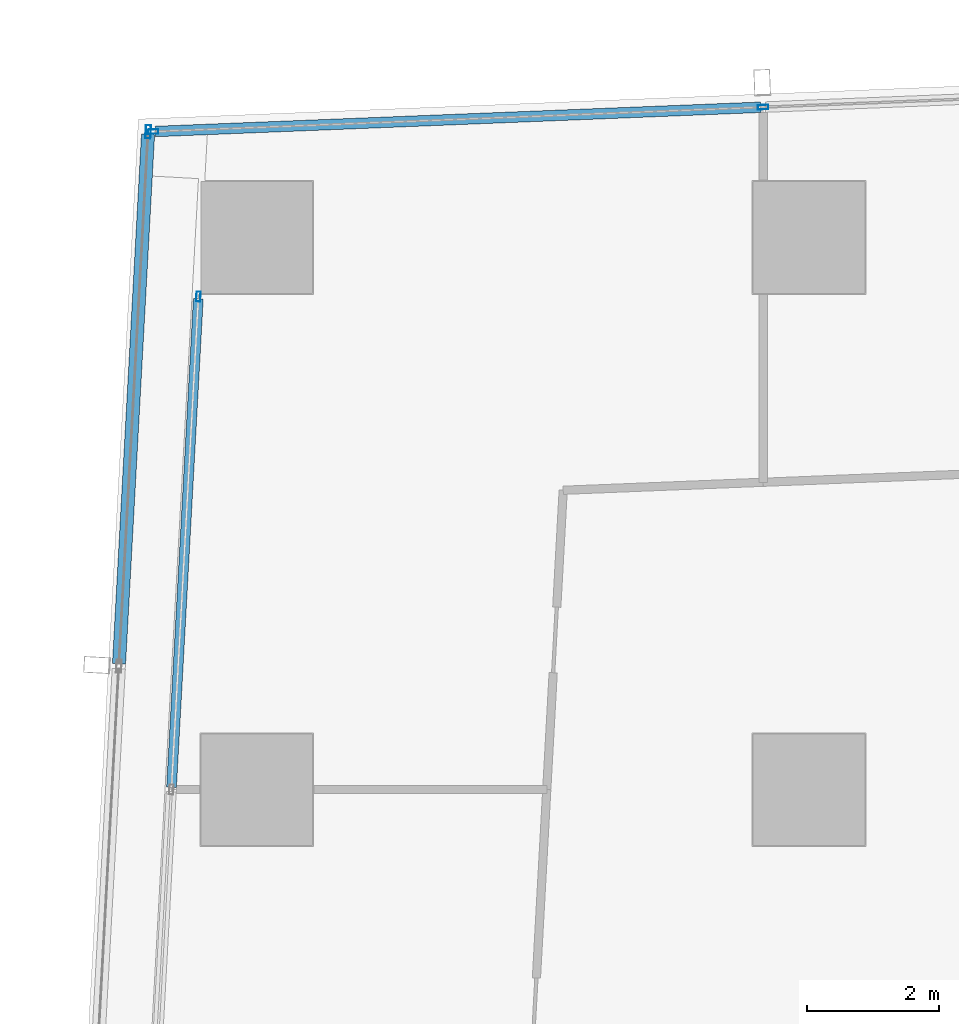
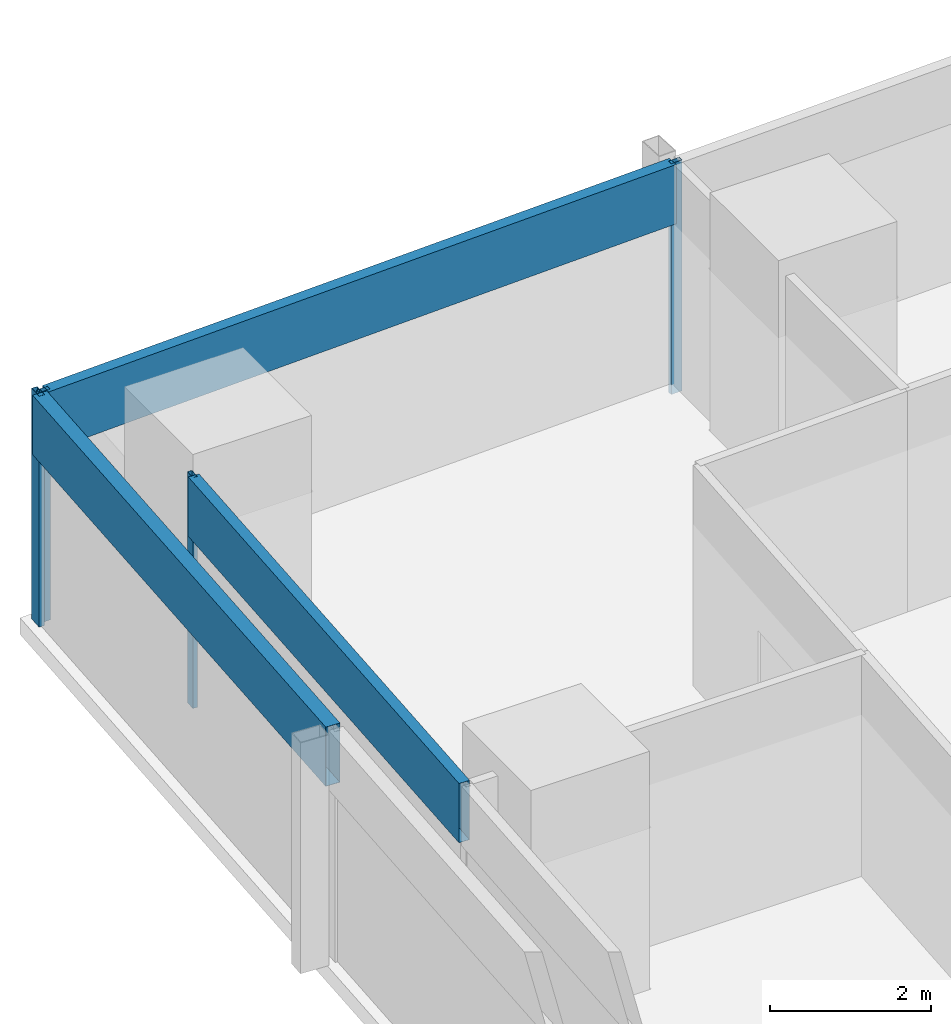
# One storey, part 15 of 40: 7 members, 3 elements without a shape of their own.
"""IFC4 building model written with IfcOpenShell, lengths in metres."""

from ifc_helpers import new_model, si_unit, direction, frame, origin, origin_2d, place, context, subcontext, project, spatial, hollow_rectangle, extrude, material, material_profile, profile_set, type_object, element, aggregate, save


model = new_model("IFC4")

# Units and contexts
model_context = context("Model", 3, precision=1e-05, world=origin(), true_north=direction((0.0, 1.0)))
body_context = subcontext(model_context, "Body", "Model", "MODEL_VIEW")
ifc_project = project(units=[si_unit("LENGTHUNIT", "METRE"), si_unit("AREAUNIT", "SQUARE_METRE"), si_unit("VOLUMEUNIT", "CUBIC_METRE"), si_unit("PLANEANGLEUNIT", "RADIAN"), si_unit("MASSUNIT", "GRAM", prefix="KILO")], contexts=[model_context])

# Site, building, storey
site_placement = place(None, origin())
site = spatial("IfcSite", under=ifc_project, at=site_placement, CompositionType="ELEMENT")
building_placement = place(site_placement, origin())
building = spatial("IfcBuilding", under=site, at=building_placement, Name="Rekha Terrace Tower", CompositionType="ELEMENT")
storey_placement = place(building_placement, frame((0.0, 0.0, 140.300048828125)))
storey = spatial("IfcBuildingStorey", under=building, at=storey_placement, Name="L35", CompositionType="ELEMENT", Elevation=140.300048828125)

# Curtain wall, members
ifc_material_1 = material(Name="Aluminium framing", Category="aluminium")
curtain_wall_type_1 = type_object("IfcCurtainWallType", Name="CW1 double skin inner glazing", PredefinedType="USERDEFINED", material=ifc_material_1)
curtain_wall_1_placement = place(storey_placement, origin())
curtain_wall_1 = element("IfcCurtainWall", 1, at=curtain_wall_1_placement, inside=storey, type_object=curtain_wall_type_1, Name="CW1 double skin inner glazing", ObjectType="DOUBLE SKIN INNER GLAZING", PredefinedType="USERDEFINED")
ifc_material_2 = material(Name="Aluminium mullion section", Category="aluminium")
ifc_material_profile_1 = material_profile(ifc_material_2, hollow_rectangle(XDim=0.06494140625, YDim=0.14990234375, WallThickness=0.00390625, at=origin_2d()), Name="AL RHS 65x150")
ifc_profile_set_1 = profile_set([ifc_material_profile_1], Name="Aluminium mullion section")
member_type_1 = type_object("IfcMemberType", Name="CW1 mullion RHS 65 x 150", PredefinedType="MULLION", material=ifc_profile_set_1)
member_1_placement = place(storey_placement, frame((7.513427734375, 57.8994140625, 0.0), z_axis=(0.0, 0.0, 1.0), x_axis=(0.99850051318, -0.054742352707, 0.0)))
member_1 = element("IfcMember", 2, at=member_1_placement, type_object=member_type_1, Name="CW1 mullion 1", PredefinedType="MULLION", context=body_context, shape_type="SweptSolid", body=[
    extrude(hollow_rectangle(XDim=0.06494140625, YDim=0.14990234375, WallThickness=0.00390625, at=origin_2d()), origin(), (0.0, 0.0, 1.0), 3.5),
])
ifc_material_3 = material(Name="Insulated aluminium spandrel box", Category="aluminium")
ifc_material_profile_2 = material_profile(ifc_material_3, hollow_rectangle(XDim=0.14990234375, YDim=0.89990234375, WallThickness=0.0029296875, at=origin_2d()), Name="AL SPANDREL BOX 150x900")
ifc_profile_set_2 = profile_set([ifc_material_profile_2], Name="Insulated aluminium spandrel box")
member_type_2 = type_object("IfcMemberType", Name="CW1 spandrel transom 150 x 900", PredefinedType="USERDEFINED", material=ifc_profile_set_2)
member_2_placement = place(storey_placement, frame((7.51171875, 57.866943359375, 3.050048828125), z_axis=(-0.054743356699, -0.998500458136, 0.0), x_axis=(0.998500458136, -0.054743356699, 0.0)))
member_2 = element("IfcMember", 3, at=member_2_placement, type_object=member_type_2, Name="CW1 spandrel transom 1", ObjectType="TRANSOM", PredefinedType="USERDEFINED", context=body_context, shape_type="SweptSolid", body=[
    extrude(hollow_rectangle(XDim=0.14990234375, YDim=0.89990234375, WallThickness=0.0029296875, at=origin_2d()), origin(), (0.0, 0.0, 1.0), 7.443359375),
])
aggregate(curtain_wall_1, [member_1, member_2])

curtain_wall_type_2 = type_object("IfcCurtainWallType", Name="CW2 double skin outer glazing", PredefinedType="USERDEFINED", material=ifc_material_1)
curtain_wall_2_placement = place(storey_placement, origin())
curtain_wall_2 = element("IfcCurtainWall", 4, at=curtain_wall_2_placement, inside=storey, type_object=curtain_wall_type_2, Name="CW2 double skin outer glazing", ObjectType="DOUBLE SKIN OUTER GLAZING", PredefinedType="USERDEFINED")
ifc_material_profile_3 = material_profile(ifc_material_2, hollow_rectangle(XDim=0.080078125, YDim=0.199951171875, WallThickness=0.00390625, at=origin_2d()), Name="AL RHS 80x200")
ifc_profile_set_3 = profile_set([ifc_material_profile_3], Name="Aluminium mullion section")
member_type_3 = type_object("IfcMemberType", Name="CW2 mullion RHS 80 x 200", PredefinedType="MULLION", material=ifc_profile_set_3)
member_3_placement = place(storey_placement, frame((6.74951171875, 60.406005859375, 0.0), z_axis=(0.0, 0.0, 1.0), x_axis=(0.99850051318, -0.054742352707, 0.0)))
member_3 = element("IfcMember", 5, at=member_3_placement, type_object=member_type_3, Name="CW2 mullion 1", PredefinedType="MULLION", context=body_context, shape_type="SweptSolid", body=[
    extrude(hollow_rectangle(XDim=0.080078125, YDim=0.199951171875, WallThickness=0.00390625, at=origin_2d()), origin(), (0.0, 0.0, 1.0), 3.5),
])
ifc_material_profile_4 = material_profile(ifc_material_3, hollow_rectangle(XDim=0.199951171875, YDim=0.89990234375, WallThickness=0.0029296875, at=origin_2d()), Name="AL SPANDREL BOX 200x900")
ifc_profile_set_4 = profile_set([ifc_material_profile_4], Name="Insulated aluminium spandrel box")
member_type_4 = type_object("IfcMemberType", Name="CW2 spandrel transom 200 x 900", PredefinedType="USERDEFINED", material=ifc_profile_set_4)
member_4_placement = place(storey_placement, frame((6.747314453125, 60.365966796875, 3.050048828125), z_axis=(-0.054735200093, -0.998500905293, 0.0), x_axis=(0.998500905293, -0.054735200093, 0.0)))
member_4 = element("IfcMember", 6, at=member_4_placement, type_object=member_type_4, Name="CW2 spandrel transom 1", ObjectType="TRANSOM", PredefinedType="USERDEFINED", context=body_context, shape_type="SweptSolid", body=[
    extrude(hollow_rectangle(XDim=0.199951171875, YDim=0.89990234375, WallThickness=0.0029296875, at=origin_2d()), origin(), (0.0, 0.0, 1.0), 8.059814453125),
])
aggregate(curtain_wall_2, [member_3, member_4])

curtain_wall_type_3 = type_object("IfcCurtainWallType", Name="CW3 north unitised glazing", PredefinedType="USERDEFINED", material=ifc_material_1)
curtain_wall_3_placement = place(storey_placement, origin())
curtain_wall_3 = element("IfcCurtainWall", 7, at=curtain_wall_3_placement, inside=storey, type_object=curtain_wall_type_3, Name="CW3 unitised curtain wall", ObjectType="UNITISED CURTAIN WALL", PredefinedType="USERDEFINED")
ifc_material_profile_5 = material_profile(ifc_material_2, hollow_rectangle(XDim=0.070068359375, YDim=0.159912109375, WallThickness=0.00390625, at=origin_2d()), Name="AL RHS 70x160")
ifc_profile_set_5 = profile_set([ifc_material_profile_5], Name="Aluminium mullion section")
member_type_5 = type_object("IfcMemberType", Name="CW3 mullion RHS 70 x 160", PredefinedType="MULLION", material=ifc_profile_set_5)
member_5_placement = place(storey_placement, frame((16.101806640625, 60.780517578125, 0.0), z_axis=(0.0, 0.0, 1.0), x_axis=(0.040031987119, -0.999198398721, 0.0)))
member_5 = element("IfcMember", 8, at=member_5_placement, type_object=member_type_5, Name="CW3 mullion 4", PredefinedType="MULLION", context=body_context, shape_type="SweptSolid", body=[
    extrude(hollow_rectangle(XDim=0.070068359375, YDim=0.159912109375, WallThickness=0.00390625, at=origin_2d()), origin(), (0.0, 0.0, 1.0), 3.5),
])
member_6_placement = place(storey_placement, frame((6.82470703125, 60.408935546875, 0.0), z_axis=(0.0, 0.0, 1.0), x_axis=(0.040031987119, -0.999198398721, 0.0)))
member_6 = element("IfcMember", 9, at=member_6_placement, type_object=member_type_5, Name="CW3 mullion 5", PredefinedType="MULLION", context=body_context, shape_type="SweptSolid", body=[
    extrude(hollow_rectangle(XDim=0.070068359375, YDim=0.159912109375, WallThickness=0.00390625, at=origin_2d()), origin(), (0.0, 0.0, 1.0), 3.5),
])
ifc_material_profile_6 = material_profile(ifc_material_3, hollow_rectangle(XDim=0.159912109375, YDim=0.89990234375, WallThickness=0.0029296875, at=origin_2d()), Name="AL SPANDREL BOX 160x900")
ifc_profile_set_6 = profile_set([ifc_material_profile_6], Name="Insulated aluminium spandrel box")
member_type_6 = type_object("IfcMemberType", Name="CW3 spandrel transom 160 x 900", PredefinedType="USERDEFINED", material=ifc_profile_set_6)
member_7_placement = place(storey_placement, frame((16.06689453125, 60.779052734375, 3.050048828125), z_axis=(-0.999198332483, -0.040033640399, 0.0), x_axis=(0.040033640399, -0.999198332483, 0.0)))
member_7 = element("IfcMember", 10, at=member_7_placement, type_object=member_type_6, Name="CW3 spandrel transom 4", ObjectType="TRANSOM", PredefinedType="USERDEFINED", context=body_context, shape_type="SweptSolid", body=[
    extrude(hollow_rectangle(XDim=0.159912109375, YDim=0.89990234375, WallThickness=0.0029296875, at=origin_2d()), origin(), (0.0, 0.0, 1.0), 9.214599609375),
])
aggregate(curtain_wall_3, [member_5, member_6, member_7])

save(model, "model.ifc")
